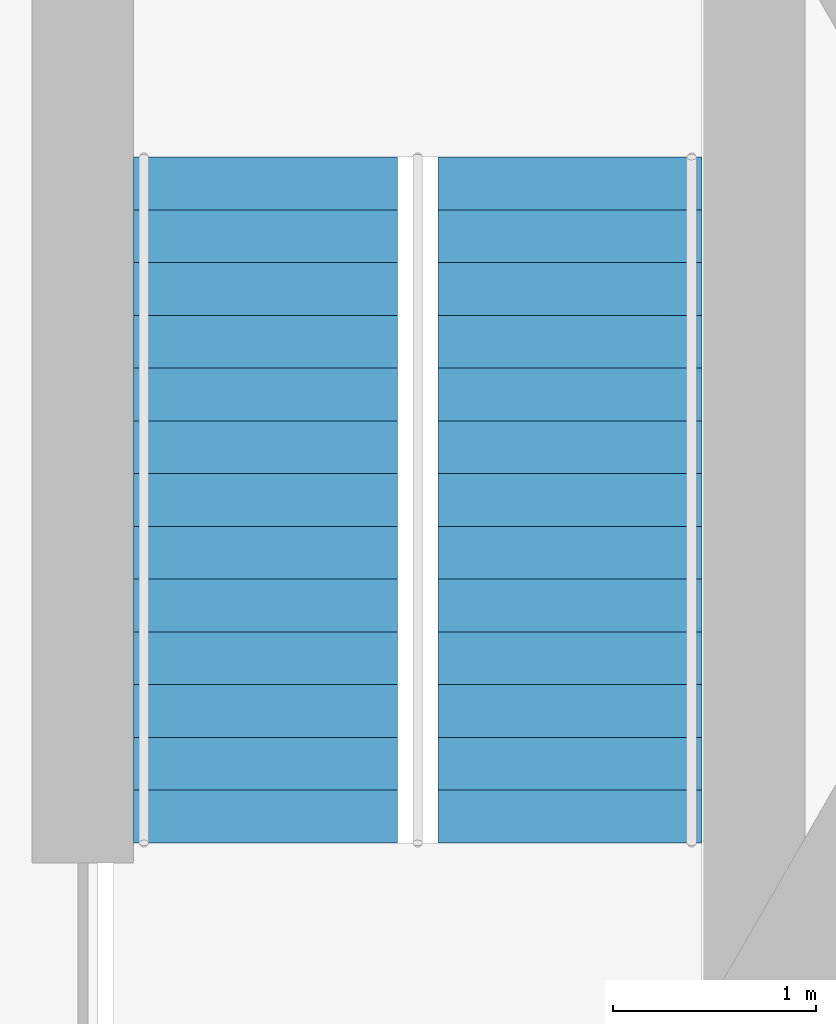
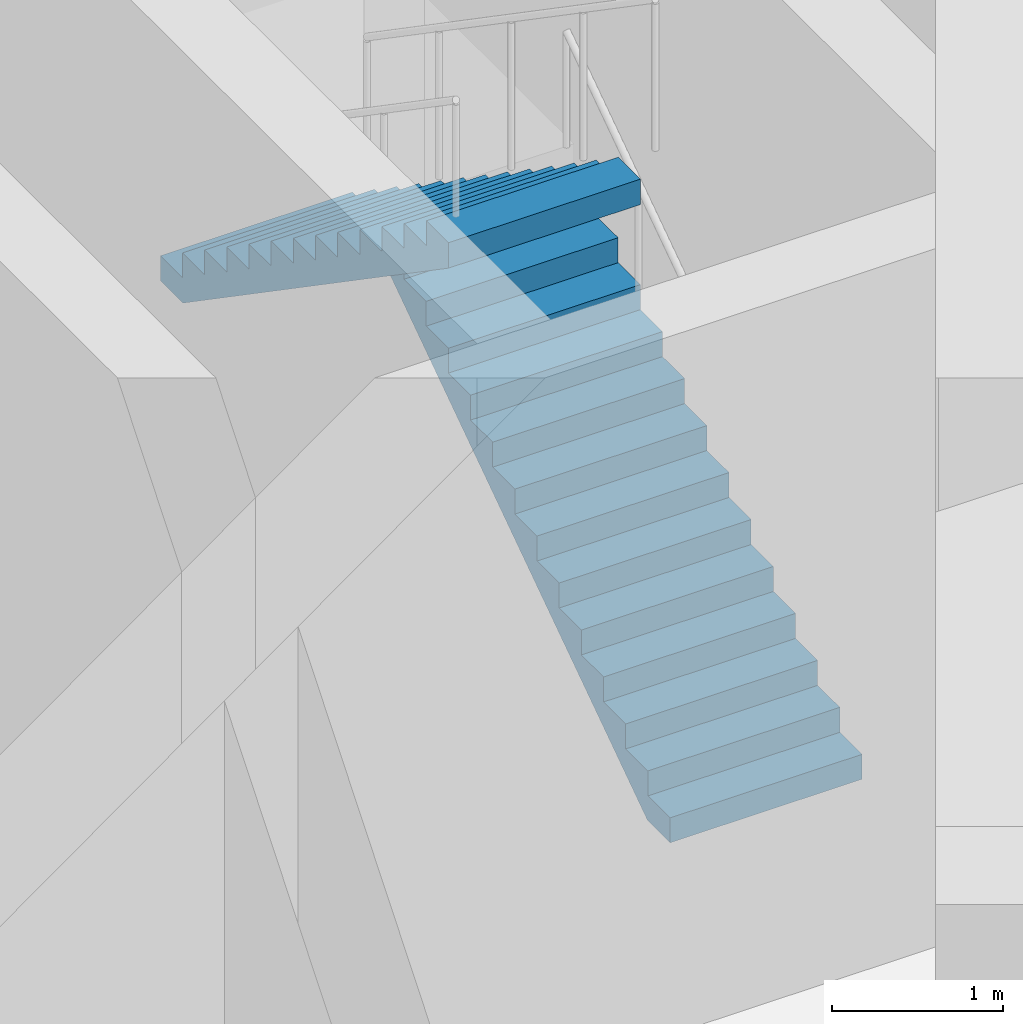
# One storey, part 7 of 8: 2 stair flights, 1 element without a shape of its own.
"""IFC4 building model written with IfcOpenShell, lengths in metres."""

from ifc_helpers import new_model, si_unit, direction, frame, origin, place, context, subcontext, project, spatial, polyline, outline, extrude, material, type_object, element, aggregate, save


model = new_model("IFC4")

# Units and contexts
model_context = context("Model", 3, precision=1e-05, world=origin(), true_north=direction((0.0, 1.0)))
body_context = subcontext(model_context, "Body", "Model", "MODEL_VIEW")
ifc_project = project(units=[si_unit("LENGTHUNIT", "METRE"), si_unit("AREAUNIT", "SQUARE_METRE"), si_unit("VOLUMEUNIT", "CUBIC_METRE"), si_unit("PLANEANGLEUNIT", "RADIAN"), si_unit("MASSUNIT", "GRAM", prefix="KILO")], contexts=[model_context])

# Site, building, storey
site_placement = place(None, origin())
site = spatial("IfcSite", under=ifc_project, at=site_placement, CompositionType="ELEMENT")
building_placement = place(site_placement, origin())
building = spatial("IfcBuilding", under=site, at=building_placement, Name="Kasaneha Research Tower", CompositionType="ELEMENT")
storey_placement = place(building_placement, frame((0.0, 0.0, 123.60009765625)))
storey = spatial("IfcBuildingStorey", under=building, at=storey_placement, Name="L31", CompositionType="ELEMENT", Elevation=123.60009765625)

# Stair, stair flights
ifc_material_1 = material(Name="Concrete Fc24", Category="concrete")
stair_type = type_object("IfcStairType", Name="Half-turn stair 28 risers", PredefinedType="HALF_TURN_STAIR", material=ifc_material_1)
stair_placement = place(storey_placement, origin())
stair = element("IfcStair", 1, at=stair_placement, inside=storey, type_object=stair_type, Name="Stair 1 L31", PredefinedType="HALF_TURN_STAIR")
ifc_material_2 = material(Name="Concrete Fc24", Category="concrete")
stair_flight_type = type_object("IfcStairFlightType", Name="Stair flight 14 risers 178.6", PredefinedType="STRAIGHT", material=ifc_material_2)
stair_flight_1_placement = place(storey_placement, frame((8.89990234375, -2.14990234375, 0.0), z_axis=(0.0, 0.0, 1.0), x_axis=(0.0, 1.0, 0.0)))
stair_flight_1 = element("IfcStairFlight", 2, at=stair_flight_1_placement, type_object=stair_flight_type, Name="ST1-28R flight 1", NumberOfRisers=14, NumberOfTreads=13, PredefinedType="STRAIGHT", RiserHeight=0.178571429, TreadLength=0.26, context=body_context, shape_type="SweptSolid", body=[
    extrude(outline(polyline([(0.0, 0.0), (0.0, 0.178466796875), (0.260009765625, 0.178466796875), (0.260009765625, 0.357177734375), (0.52001953125, 0.357177734375), (0.52001953125, 0.53564453125), (0.780029296875, 0.53564453125), (0.780029296875, 0.71435546875), (1.0400390625, 0.71435546875), (1.0400390625, 0.892822265625), (1.300048828125, 0.892822265625), (1.300048828125, 1.071533203125), (1.56005859375, 1.071533203125), (1.56005859375, 1.25), (1.820068359375, 1.25), (1.820068359375, 1.428466796875), (2.080078125, 1.428466796875), (2.080078125, 1.607177734375), (2.340087890625, 1.607177734375), (2.340087890625, 1.78564453125), (2.60009765625, 1.78564453125), (2.60009765625, 1.96435546875), (2.860107421875, 1.96435546875), (2.860107421875, 2.142822265625), (3.1201171875, 2.142822265625), (3.1201171875, 2.321533203125), (3.3798828125, 2.321533203125), (3.3798828125, 2.5), (3.3798828125, 2.1396484375), (0.264892578125, 0.0), (0.0, 0.0)])), frame((0.0, 0.64990234375, 0.0), z_axis=(0.0, -1.0, 0.0), x_axis=(1.0, 0.0, 0.0)), (0.0, 0.0, 1.0), 1.300048828125),
])
stair_flight_2_placement = place(storey_placement, frame((7.39990234375, 1.22998046875, 2.5), z_axis=(0.0, 0.0, 1.0), x_axis=(0.0, -1.0, 0.0)))
stair_flight_2 = element("IfcStairFlight", 3, at=stair_flight_2_placement, type_object=stair_flight_type, Name="ST1-28R flight 2", NumberOfRisers=14, NumberOfTreads=13, PredefinedType="STRAIGHT", RiserHeight=0.178571429, TreadLength=0.26, context=body_context, shape_type="SweptSolid", body=[
    extrude(outline(polyline([(0.0, 0.0), (0.0, 0.178466796875), (0.260009765625, 0.178466796875), (0.260009765625, 0.357177734375), (0.52001953125, 0.357177734375), (0.52001953125, 0.53564453125), (0.780029296875, 0.53564453125), (0.780029296875, 0.71435546875), (1.0400390625, 0.71435546875), (1.0400390625, 0.892822265625), (1.300048828125, 0.892822265625), (1.300048828125, 1.071533203125), (1.56005859375, 1.071533203125), (1.56005859375, 1.25), (1.820068359375, 1.25), (1.820068359375, 1.428466796875), (2.080078125, 1.428466796875), (2.080078125, 1.607177734375), (2.340087890625, 1.607177734375), (2.340087890625, 1.78564453125), (2.60009765625, 1.78564453125), (2.60009765625, 1.96435546875), (2.860107421875, 1.96435546875), (2.860107421875, 2.142822265625), (3.1201171875, 2.142822265625), (3.1201171875, 2.321533203125), (3.3798828125, 2.321533203125), (3.3798828125, 2.5), (3.3798828125, 2.1396484375), (0.264892578125, 0.0), (0.0, 0.0)])), frame((0.0, 0.64990234375, 0.0), z_axis=(0.0, -1.0, 0.0), x_axis=(1.0, 0.0, 0.0)), (0.0, 0.0, 1.0), 1.300048828125),
])
aggregate(stair, [stair_flight_1, stair_flight_2])

save(model, "model.ifc")
